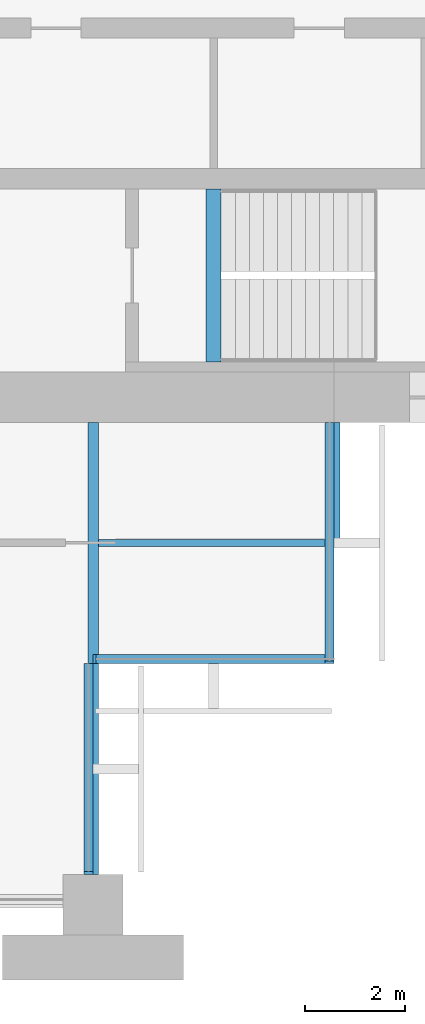
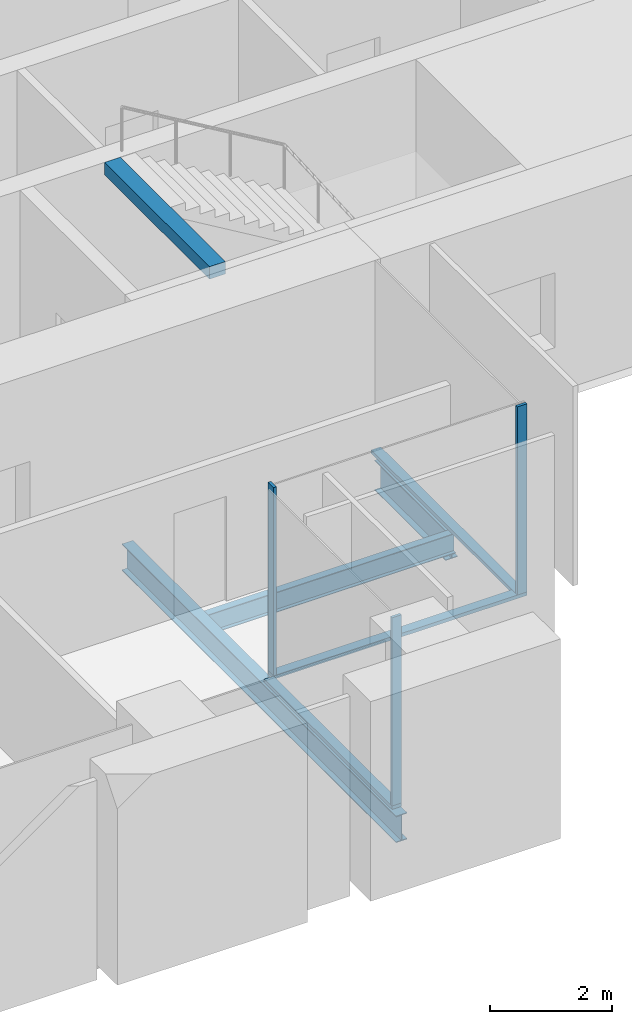
# One storey, part 4 of 14: 6 members, 4 beams, 3 elements without a shape of their own.
"""IFC4 building model written with IfcOpenShell, lengths in metres."""

from ifc_helpers import new_model, si_unit, direction, frame, origin, origin_2d, place, context, subcontext, project, spatial, rectangle, i_section, extrude, material, material_profile, profile_set, type_object, element, aggregate, save


model = new_model("IFC4")

# Units and contexts
model_context = context("Model", 3, precision=1e-05, world=origin(), true_north=direction((0.0, 1.0)))
body_context = subcontext(model_context, "Body", "Model", "MODEL_VIEW")
ifc_project = project(units=[si_unit("LENGTHUNIT", "METRE"), si_unit("AREAUNIT", "SQUARE_METRE"), si_unit("VOLUMEUNIT", "CUBIC_METRE"), si_unit("PLANEANGLEUNIT", "RADIAN"), si_unit("MASSUNIT", "GRAM", prefix="KILO")], contexts=[model_context])

# Site, building, storey
site_placement = place(None, origin())
site = spatial("IfcSite", under=ifc_project, at=site_placement, CompositionType="ELEMENT")
building_placement = place(site_placement, origin())
building = spatial("IfcBuilding", under=site, at=building_placement, Name="Baori Bourse Tower", CompositionType="ELEMENT")
storey_placement = place(building_placement, frame((0.0, 0.0, 136.10009765625)))
storey = spatial("IfcBuildingStorey", under=building, at=storey_placement, Name="L29", CompositionType="ELEMENT", Elevation=136.10009765625)

# Curtain wall, member
ifc_material_1 = material(Name="Pale anodised aluminium", Category="aluminium")
curtain_wall_type = type_object("IfcCurtainWallType", Name="CW2 Curtain wall", PredefinedType="NOTDEFINED", material=ifc_material_1)
curtain_wall_1_placement = place(storey_placement, origin())
curtain_wall_1 = element("IfcCurtainWall", 1, at=curtain_wall_1_placement, inside=storey, type_object=curtain_wall_type, Name="Curtain wall CW2 L29 12", PredefinedType="NOTDEFINED")
ifc_material_2 = material(Name="Pale anodised aluminium", Category="aluminium")
ifc_material_profile_1 = material_profile(ifc_material_2, rectangle(XDim=0.179931640625, YDim=0.054931640625, at=origin_2d()), Name="Mullion 55x180")
ifc_profile_set_1 = profile_set([ifc_material_profile_1], Name="Pale anodised aluminium")
member_type_1 = type_object("IfcMemberType", Name="CW2 Curtain wall mullion", PredefinedType="MULLION", material=ifc_profile_set_1)
member_1_placement = place(storey_placement, frame((43.110107421875, 0.62744140625, 0.06982421875), z_axis=(0.0, 0.0, 1.0), x_axis=(-1.0, 0.0, 0.0)))
member_1 = element("IfcMember", 2, at=member_1_placement, type_object=member_type_1, Name="Curtain wall CW2 mullion", PredefinedType="MULLION", context=body_context, shape_type="SweptSolid", body=[
    extrude(rectangle(XDim=0.179931640625, YDim=0.054931640625, at=origin_2d()), origin(), (0.0, 0.0, 1.0), 3.77001953125),
])

curtain_wall_2_placement = place(storey_placement, origin())
curtain_wall_2 = element("IfcCurtainWall", 3, at=curtain_wall_2_placement, inside=storey, type_object=curtain_wall_type, Name="Curtain wall CW2 L29 13", PredefinedType="NOTDEFINED")
member_2_placement = place(storey_placement, frame((43.2275390625, 4.889892578125, 0.06982421875), z_axis=(0.0, 0.0, 1.0), x_axis=(0.0, 1.0, 0.0)))
member_2 = element("IfcMember", 4, at=member_2_placement, type_object=member_type_1, Name="Curtain wall CW2 mullion", PredefinedType="MULLION", context=body_context, shape_type="SweptSolid", body=[
    extrude(rectangle(XDim=0.179931640625, YDim=0.054931640625, at=origin_2d()), origin(), (0.0, 0.0, 1.0), 3.77001953125),
])

curtain_wall_3_placement = place(storey_placement, origin())
curtain_wall_3 = element("IfcCurtainWall", 5, at=curtain_wall_3_placement, inside=storey, type_object=curtain_wall_type, Name="Curtain wall CW2 L29 14", PredefinedType="NOTDEFINED")
member_3_placement = place(storey_placement, frame((47.909912109375, 4.827392578125, 0.06982421875), z_axis=(0.0, 0.0, 1.0), x_axis=(-1.0, 0.0, 0.0)))
member_3 = element("IfcMember", 6, at=member_3_placement, type_object=member_type_1, Name="Curtain wall CW2 mullion", PredefinedType="MULLION", context=body_context, shape_type="SweptSolid", body=[
    extrude(rectangle(XDim=0.179931640625, YDim=0.054931640625, at=origin_2d()), origin(), (0.0, 0.0, 1.0), 3.77001953125),
])

# Member
ifc_material_3 = material(Name="Pale anodised aluminium", Category="aluminium")
ifc_material_profile_2 = material_profile(ifc_material_3, rectangle(XDim=0.179931640625, YDim=0.070068359375, at=origin_2d()), Name="Transom 70x180")
ifc_profile_set_2 = profile_set([ifc_material_profile_2], Name="Pale anodised aluminium")
member_type_2 = type_object("IfcMemberType", Name="CW2 Curtain wall transom", PredefinedType="USERDEFINED", material=ifc_profile_set_2)
member_4_placement = place(storey_placement, frame((43.110107421875, 0.60009765625, 0.034912109375), z_axis=(0.0, 1.0, 0.0), x_axis=(-1.0, 0.0, 0.0)))
member_4 = element("IfcMember", 7, at=member_4_placement, type_object=member_type_2, Name="Curtain wall CW2 sill rail", ObjectType="TRANSOM", PredefinedType="USERDEFINED", context=body_context, shape_type="SweptSolid", body=[
    extrude(rectangle(XDim=0.179931640625, YDim=0.070068359375, at=origin_2d()), origin(), (0.0, 0.0, 1.0), 4.199951171875),
])

aggregate(curtain_wall_1, [member_4, member_1])

member_5_placement = place(storey_placement, frame((43.199951171875, 4.889892578125, 0.034912109375), z_axis=(1.0, 0.0, 0.0), x_axis=(0.0, 1.0, 0.0)))
member_5 = element("IfcMember", 8, at=member_5_placement, type_object=member_type_2, Name="Curtain wall CW2 sill rail", ObjectType="TRANSOM", PredefinedType="USERDEFINED", context=body_context, shape_type="SweptSolid", body=[
    extrude(rectangle(XDim=0.179931640625, YDim=0.070068359375, at=origin_2d()), origin(), (0.0, 0.0, 1.0), 4.800048828125),
])

aggregate(curtain_wall_2, [member_5, member_2])

member_6_placement = place(storey_placement, frame((47.909912109375, 4.800048828125, 0.034912109375), z_axis=(0.0, 1.0, 0.0), x_axis=(-1.0, 0.0, 0.0)))
member_6 = element("IfcMember", 9, at=member_6_placement, type_object=member_type_2, Name="Curtain wall CW2 sill rail", ObjectType="TRANSOM", PredefinedType="USERDEFINED", context=body_context, shape_type="SweptSolid", body=[
    extrude(rectangle(XDim=0.179931640625, YDim=0.070068359375, at=origin_2d()), origin(), (0.0, 0.0, 1.0), 4.800048828125),
])

aggregate(curtain_wall_3, [member_6, member_3])

# Beams
ifc_material_4 = material(Name="Steel A992 Gr 50", Category="steel")
ifc_material_profile_3 = material_profile(ifc_material_4, i_section(OverallWidth=0.227783203125, OverallDepth=0.60205078125, WebThickness=0.010498046875, FlangeThickness=0.014892578125, at=origin_2d()), Name="W24x68")
ifc_profile_set_3 = profile_set([ifc_material_profile_3], Name="Steel A992 Gr 50")
beam_type_1 = type_object("IfcBeamType", Name="Core bracket W24x68", PredefinedType="BEAM", material=ifc_profile_set_3)
beam_1_placement = place(storey_placement, frame((48.0, 7.270263671875, -0.461181640625), z_axis=(0.0, 1.0, 0.0), x_axis=(-1.0, 0.0, 0.0)))
element("IfcBeam", 10, at=beam_1_placement, inside=storey, type_object=beam_type_1, Name="Core bracket L29", PredefinedType="BEAM", context=body_context, shape_type="SweptSolid", body=[
    extrude(i_section(OverallWidth=0.227783203125, OverallDepth=0.60205078125, WebThickness=0.010498046875, FlangeThickness=0.014892578125, at=origin_2d()), origin(), (0.0, 0.0, 1.0), 2.329833984375),
])
ifc_material_5 = material(Name="Steel A992 Gr 50", Category="steel")
ifc_material_profile_4 = material_profile(ifc_material_5, i_section(OverallWidth=0.209228515625, OverallDepth=0.533447265625, WebThickness=0.01025390625, FlangeThickness=0.015625, at=origin_2d()), Name="W21x62")
ifc_profile_set_4 = profile_set([ifc_material_profile_4], Name="Steel A992 Gr 50")
beam_type_2 = type_object("IfcBeamType", Name="Floor beam W21x62", PredefinedType="BEAM", material=ifc_profile_set_4)
beam_2_placement = place(storey_placement, frame((43.199951171875, 0.60009765625, -0.4267578125), z_axis=(0.0, 1.0, 0.0), x_axis=(-1.0, 0.0, 0.0)))
element("IfcBeam", 11, at=beam_2_placement, inside=storey, type_object=beam_type_2, Name="Floor beam L29", PredefinedType="BEAM", context=body_context, shape_type="SweptSolid", body=[
    extrude(i_section(OverallWidth=0.209228515625, OverallDepth=0.533447265625, WebThickness=0.01025390625, FlangeThickness=0.015625, at=origin_2d()), origin(), (0.0, 0.0, 1.0), 9.0),
])
ifc_material_6 = material(Name="Concrete f'c 50 MPa", Category="concrete")
ifc_material_profile_5 = material_profile(ifc_material_6, rectangle(XDim=0.300048828125, YDim=0.25, at=origin_2d()), Name="RC 300x250")
ifc_profile_set_5 = profile_set([ifc_material_profile_5], Name="Concrete f'c 50 MPa")
beam_type_3 = type_object("IfcBeamType", Name="Stair nib beam RC 300x250", PredefinedType="BEAM", material=ifc_profile_set_5)
beam_3_placement = place(storey_placement, frame((45.60009765625, 10.800048828125, 3.71484375), z_axis=(0.0, 1.0, 0.0), x_axis=(-1.0, 0.0, 0.0)))
element("IfcBeam", 12, at=beam_3_placement, inside=storey, type_object=beam_type_3, Name="Stair EA nib beam L30", PredefinedType="BEAM", context=body_context, shape_type="SweptSolid", body=[
    extrude(rectangle(XDim=0.300048828125, YDim=0.25, at=origin_2d()), origin(), (0.0, 0.0, 1.0), 3.449951171875),
])
ifc_material_7 = material(Name="Steel A992 Gr 50", Category="steel")
ifc_material_profile_6 = material_profile(ifc_material_7, i_section(OverallWidth=0.140380859375, OverallDepth=0.40380859375, WebThickness=0.007080078125, FlangeThickness=0.01123046875, at=origin_2d()), Name="W16x31")
ifc_profile_set_6 = profile_set([ifc_material_profile_6], Name="Steel A992 Gr 50")
beam_type_4 = type_object("IfcBeamType", Name="Trimmer beam W16x31", PredefinedType="BEAM", material=ifc_profile_set_6)
beam_4_placement = place(storey_placement, frame((43.3046875, 7.199951171875, -0.362060546875), z_axis=(1.0, 0.0, 0.0), x_axis=(0.0, 1.0, 0.0)))
element("IfcBeam", 13, at=beam_4_placement, inside=storey, type_object=beam_type_4, Name="Trimmer beam L29", PredefinedType="BEAM", context=body_context, shape_type="SweptSolid", body=[
    extrude(i_section(OverallWidth=0.140380859375, OverallDepth=0.40380859375, WebThickness=0.007080078125, FlangeThickness=0.01123046875, at=origin_2d()), origin(), (0.0, 0.0, 1.0), 4.6953125),
])

save(model, "model.ifc")
